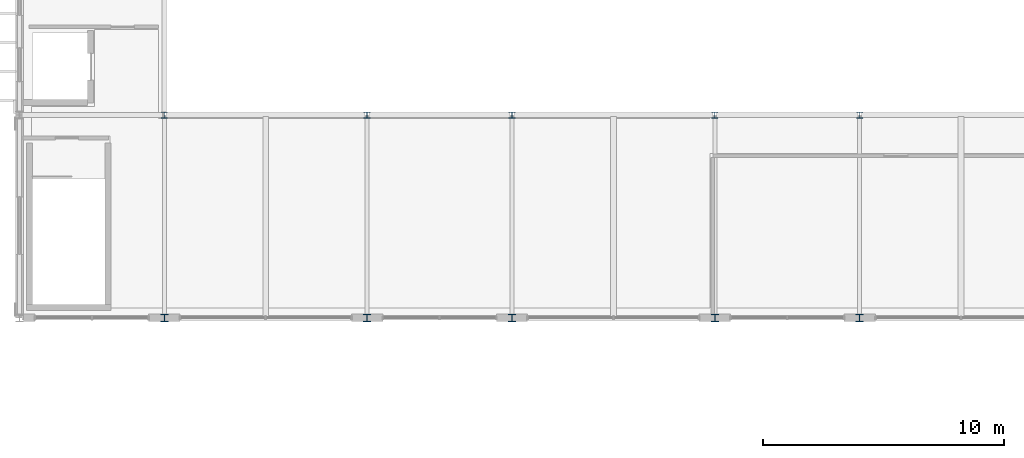
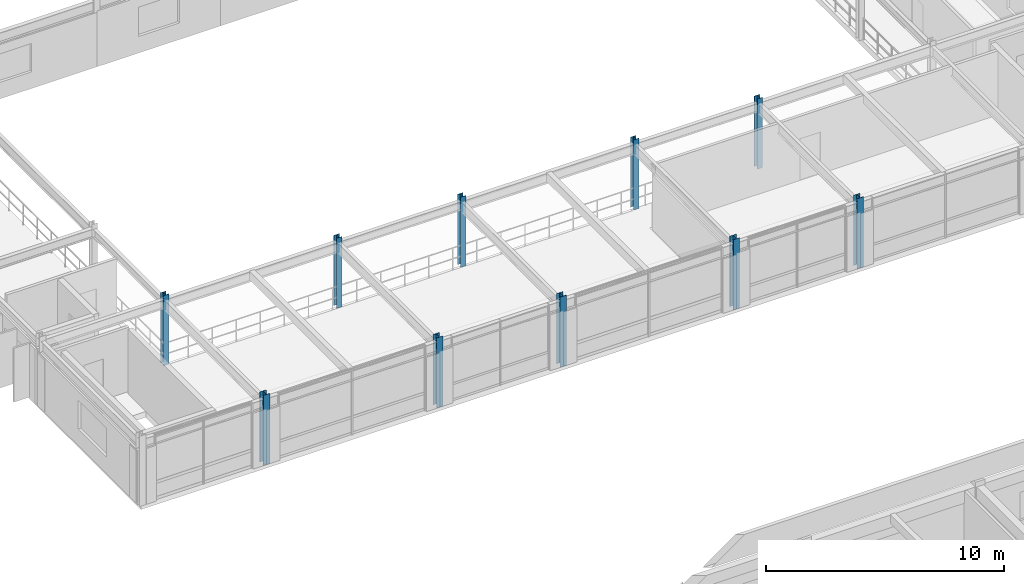
# One storey, part 4 of 88: 10 columns.
"""IFC4 building model written with IfcOpenShell, lengths in metres."""

from ifc_helpers import new_model, si_unit, direction, frame, origin, origin_2d, place, context, subcontext, project, spatial, i_section, extrude, material, material_profile, profile_set, type_object, element, save


model = new_model("IFC4")

# Units and contexts
model_context = context("Model", 3, precision=1e-05, world=origin(), true_north=direction((0.0, 1.0)))
body_context = subcontext(model_context, "Body", "Model", "MODEL_VIEW")
ifc_project = project(units=[si_unit("LENGTHUNIT", "METRE"), si_unit("AREAUNIT", "SQUARE_METRE"), si_unit("VOLUMEUNIT", "CUBIC_METRE"), si_unit("PLANEANGLEUNIT", "RADIAN"), si_unit("MASSUNIT", "GRAM", prefix="KILO"), si_unit("THERMODYNAMICTEMPERATUREUNIT", "KELVIN")], contexts=[model_context])

# Site, building, storey
site_placement = place(None, origin())
site = spatial("IfcSite", under=ifc_project, at=site_placement, CompositionType="ELEMENT")
building_placement = place(site_placement, origin())
building = spatial("IfcBuilding", under=site, at=building_placement, Name="Thalorik Housing Commons", CompositionType="ELEMENT")
storey_placement = place(building_placement, frame((0.0, 0.0, 4.5)))
storey = spatial("IfcBuildingStorey", under=building, at=storey_placement, Name="L01", CompositionType="ELEMENT", Elevation=4.5)

# Columns
ifc_material = material(Name="Steel S355", Category="steel")
ifc_material_profile_1 = material_profile(ifc_material, i_section(OverallWidth=0.260009765625, OverallDepth=0.25390625, WebThickness=0.014404296875, FlangeThickness=0.014404296875, FilletRadius=0.010009765625, at=origin_2d()), Name="HP250x85", Category="steel")
ifc_profile_set_1 = profile_set([ifc_material_profile_1], Name="Steel S355")
column_type_1 = type_object("IfcColumnType", Name="STR-COL-HP250", PredefinedType="COLUMN", material=ifc_profile_set_1)
for number, where, z_axis, x_axis, name in (
    (1, (72.0, 66.0, 0.0), (0.0, 0.0, 1.0), (1.0, 0.0, 0.0), "L01 Column SC-250"),
    (2, (80.39990234375, 66.0, 0.0), (0.0, 0.0, 1.0), (1.0, 0.0, 0.0), "L01 Column SC-250"),
    (3, (86.39990234375, 66.0, 0.0), (0.0, 0.0, 1.0), (1.0, 0.0, 0.0), "L01 Column SC-250"),
    (4, (94.800048828125, 66.0, 0.0), (0.0, 0.0, 1.0), (1.0, 0.0, 0.0), "L01 Column SC-250"),
    (5, (100.800048828125, 66.0, 0.0), (0.0, 0.0, 1.0), (1.0, 0.0, 0.0), "L01 Column SC-250"),
):
    element("IfcColumn", number, at=place(storey_placement, frame(where, z_axis=z_axis, x_axis=x_axis)), inside=storey, type_object=column_type_1, Name=name, PredefinedType="COLUMN", context=body_context, shape_type="SweptSolid", body=[
        extrude(i_section(OverallWidth=0.260009765625, OverallDepth=0.25390625, WebThickness=0.014404296875, FlangeThickness=0.014404296875, FilletRadius=0.010009765625, at=origin_2d()), origin(), (0.0, 0.0, 1.0), 3.60009765625),
    ])
ifc_material_profile_2 = material_profile(ifc_material, i_section(OverallWidth=0.31005859375, OverallDepth=0.30810546875, WebThickness=0.015380859375, FlangeThickness=0.015380859375, FilletRadius=0.011962890625, at=origin_2d()), Name="HP310x110", Category="steel")
ifc_profile_set_2 = profile_set([ifc_material_profile_2], Name="Steel S355")
column_type_2 = type_object("IfcColumnType", Name="STR-COL-HP310", PredefinedType="COLUMN", material=ifc_profile_set_2)
for number, where, z_axis, x_axis, name in (
    (6, (72.0, 57.60009765625, 0.0), (0.0, 0.0, 1.0), (1.0, 0.0, 0.0), "L01 Column SC-310"),
    (7, (80.39990234375, 57.60009765625, 0.0), (0.0, 0.0, 1.0), (1.0, 0.0, 0.0), "L01 Column SC-310"),
    (8, (86.39990234375, 57.60009765625, 0.0), (0.0, 0.0, 1.0), (1.0, 0.0, 0.0), "L01 Column SC-310"),
    (9, (94.800048828125, 57.60009765625, 0.0), (0.0, 0.0, 1.0), (1.0, 0.0, 0.0), "L01 Column SC-310"),
    (10, (100.800048828125, 57.60009765625, 0.0), (0.0, 0.0, 1.0), (1.0, 0.0, 0.0), "L01 Column SC-310"),
):
    element("IfcColumn", number, at=place(storey_placement, frame(where, z_axis=z_axis, x_axis=x_axis)), inside=storey, type_object=column_type_2, Name=name, PredefinedType="COLUMN", context=body_context, shape_type="SweptSolid", body=[
        extrude(i_section(OverallWidth=0.31005859375, OverallDepth=0.30810546875, WebThickness=0.015380859375, FlangeThickness=0.015380859375, FilletRadius=0.011962890625, at=origin_2d()), origin(), (0.0, 0.0, 1.0), 3.60009765625),
    ])

save(model, "model.ifc")
